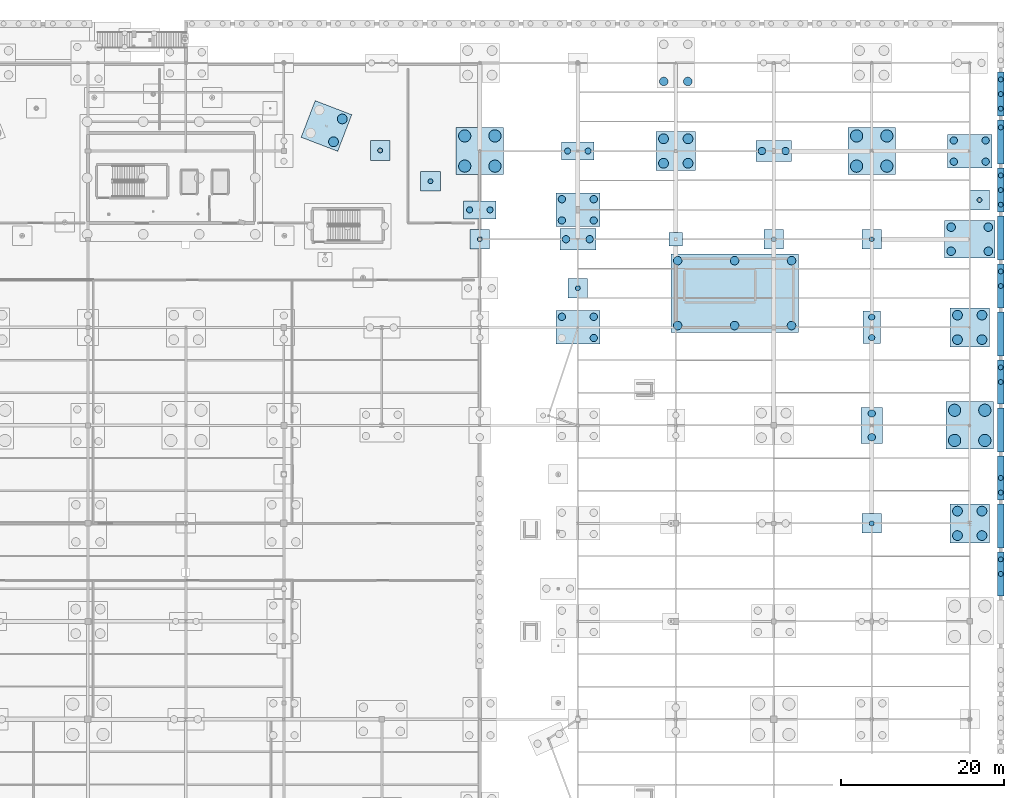
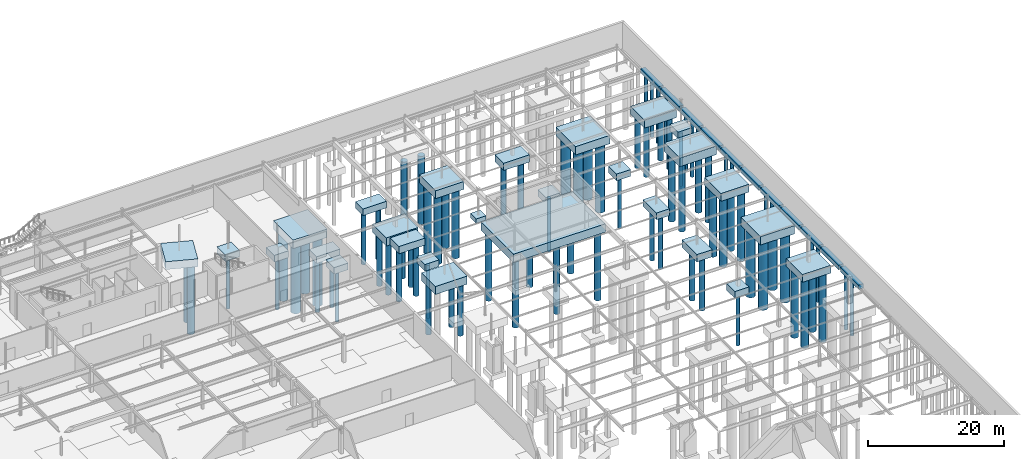
# One storey, part 8 of 136: 84 piles, 38 footings.
"""IFC4 building model written with IfcOpenShell, lengths in metres."""

import ifcopenshell
import ifcopenshell.guid

model = None  # the IFC model being written
_history = None  # IfcOwnerHistory: only IFC2X3 demands one
_inside = {}  # id of a spatial element -> (the spatial element, [elements in it])
_under = {}  # id of a project, library or spatial element -> (it, [spatial elements below it])
_declared = {}  # id of a project -> (the project, [libraries it declares])
_typed = {}  # id of a type object -> (the type object, [elements of that type])
_made_of = {}  # id of a material, layer set ... -> (it, [elements and type objects made of it])


def new_model(schema):
    """Start an empty IFC model of exactly this schema.

    Asked for "IFC4X3", IfcOpenShell would pick the latest addendum, in which some entities
    have other attributes; the version numbers below select the first issue.
    IFC2X3 requires an IfcOwnerHistory on every rooted entity: one is made here for all.
    """
    global model, _history
    if schema == "IFC4X3":
        model = ifcopenshell.file(schema_version=(4, 3, 0, 0))
    else:
        model = ifcopenshell.file(schema=schema)
    _inside.clear()
    _under.clear()
    _declared.clear()
    _typed.clear()
    _made_of.clear()
    _history = None
    if model.schema == "IFC2X3":
        org = make("IfcOrganization", Name="unknown")
        user = make(
            "IfcPersonAndOrganization",
            ThePerson=make("IfcPerson", FamilyName="unknown"),
            TheOrganization=org,
        )
        app = make(
            "IfcApplication",
            ApplicationDeveloper=org,
            Version="unknown",
            ApplicationFullName="unknown",
            ApplicationIdentifier="unknown",
        )
        _history = make(
            "IfcOwnerHistory",
            OwningUser=user,
            OwningApplication=app,
            ChangeAction="ADDED",
            CreationDate=0,
        )
    return model


def make(cls, **values):
    """One entity of the class cls with the attributes given. An attribute that is None is left unset."""
    return model.create_entity(
        cls, **{name: value for name, value in values.items() if value is not None}
    )


def rooted(cls, **values):
    """An entity with a GlobalId (a new one), such as an element, a storey or a relation."""
    return make(cls, GlobalId=ifcopenshell.guid.new(), OwnerHistory=_history, **values)


def si_unit(unit_type, name, prefix=None):
    """IfcSIUnit, for example si_unit("LENGTHUNIT", "METRE", prefix="MILLI")."""
    return make("IfcSIUnit", UnitType=unit_type, Prefix=prefix, Name=name)


def assignment(units):
    """IfcUnitAssignment: the units of a project."""
    return None if units is None else make("IfcUnitAssignment", Units=units)


def point(xyz):
    """IfcCartesianPoint."""
    return None if xyz is None else make("IfcCartesianPoint", Coordinates=xyz)


def direction(xyz):
    """IfcDirection."""
    return None if xyz is None else make("IfcDirection", DirectionRatios=xyz)


def frame(location, z_axis=None, x_axis=None):
    """IfcAxis2Placement3D, a coordinate frame: its origin and axes. An axis left out is left unset."""
    return make(
        "IfcAxis2Placement3D",
        Location=point(location),
        Axis=direction(z_axis),
        RefDirection=direction(x_axis),
    )


def frame_2d(location, x_axis=None):
    """IfcAxis2Placement2D, a coordinate frame in the plane: its origin and x axis."""
    return make(
        "IfcAxis2Placement2D", Location=point(location), RefDirection=direction(x_axis)
    )


def origin():
    """The frame at (0, 0, 0) with its axes left unset."""
    return frame((0.0, 0.0, 0.0))


def origin_2d():
    """The frame at (0, 0) in the plane with its x axis left unset."""
    return frame_2d((0.0, 0.0))


def place(relative_to, where):
    """IfcLocalPlacement: puts the frame where relative to a parent placement (None: the world)."""
    return make(
        "IfcLocalPlacement", PlacementRelTo=relative_to, RelativePlacement=where
    )


def context(
    kind, dimensions, precision=None, world=None, true_north=None, identifier=None
):
    """IfcGeometricRepresentationContext, for example the 3D "Model" context."""
    return make(
        "IfcGeometricRepresentationContext",
        ContextIdentifier=identifier,
        ContextType=kind,
        CoordinateSpaceDimension=dimensions,
        Precision=precision,
        WorldCoordinateSystem=world,
        TrueNorth=true_north,
    )


def subcontext(parent, identifier, kind, view, scale=None):
    """IfcGeometricRepresentationSubContext, for example "Body" below "Model"."""
    return make(
        "IfcGeometricRepresentationSubContext",
        ContextIdentifier=identifier,
        ContextType=kind,
        ParentContext=parent,
        TargetScale=scale,
        TargetView=view,
    )


def project(units=None, contexts=None):
    """IfcProject with its units and contexts."""
    return rooted(
        "IfcProject",
        Name="project",
        RepresentationContexts=contexts,
        UnitsInContext=assignment(units),
    )


def spatial(cls, under=None, at=None, **own):
    """A site, building, storey or space (cls), placed at a placement, below another one or the project."""
    s = rooted(cls, ObjectPlacement=at, **own)
    if under is not None:
        _under.setdefault(under.id(), (under, []))[1].append(s)
    return s


def profile(cls, at=None, kind="AREA", **sizes):
    """A parametric profile (cls). Its sizes go by their IFC names, for example OverallWidth=200.0."""
    return make(cls, ProfileType=kind, Position=at, **sizes)


def rectangle(**sizes):
    """IfcRectangleProfileDef."""
    return profile("IfcRectangleProfileDef", **sizes)


def circle(**sizes):
    """IfcCircleProfileDef."""
    return profile("IfcCircleProfileDef", **sizes)


def extrude(swept, where, along, depth):
    """IfcExtrudedAreaSolid: the profile swept, set in the frame where, extruded along a direction by depth."""
    return make(
        "IfcExtrudedAreaSolid",
        SweptArea=swept,
        Position=where,
        ExtrudedDirection=direction(along),
        Depth=depth,
    )


def shape(context_of_items, identifier, shape_type, items):
    """IfcShapeRepresentation: the items that make up one representation, for example the "Body"."""
    return make(
        "IfcShapeRepresentation",
        ContextOfItems=context_of_items,
        RepresentationIdentifier=identifier,
        RepresentationType=shape_type,
        Items=items,
    )


def material(Name=None, Category=None):
    """IfcMaterial."""
    return make("IfcMaterial", Name=Name, Category=Category)


def material_profile(
    of_material, cross_section, Name=None, Category=None, Priority=None
):
    """IfcMaterialProfile: a cross section and its material."""
    return make(
        "IfcMaterialProfile",
        Name=Name,
        Material=of_material,
        Profile=cross_section,
        Priority=Priority,
        Category=Category,
    )


def profile_set(profiles, Name=None, composite=None):
    """IfcMaterialProfileSet."""
    return make(
        "IfcMaterialProfileSet",
        Name=Name,
        MaterialProfiles=profiles,
        CompositeProfile=composite,
    )


def made_of(thing, what):
    """Note that an element or type object is made of a material, layer set ...; save() writes the relation."""
    if what is not None:
        _made_of.setdefault(what.id(), (what, []))[1].append(thing)
    return thing


def type_object(cls, material=None, **own):
    """A type object (cls), such as IfcWallType, which elements share."""
    return made_of(rooted(cls, **own), material)


def element(
    cls,
    number,
    at=None,
    inside=None,
    cuts=None,
    type_object=None,
    material=None,
    context=None,
    identifier="Body",
    shape_type=None,
    held_by="IfcProductDefinitionShape",
    body=None,
    shapes=None,
    **own,
):
    """One element of the class cls, such as IfcWall. Its Tag is "e" and its number.

    at: its placement. inside: the storey or other place that contains it. cuts: it is an
    opening in that element (IfcRelVoidsElement). A single representation is given by context,
    identifier, shape_type and body (its items); several are given by shapes. held_by: the class
    of the entity that holds the representations. save() writes the other relations.
    """
    e = rooted(cls, Tag="e%d" % number, ObjectPlacement=at, **own)
    if body is not None:
        shapes = [shape(context, identifier, shape_type, body)]
    if shapes is not None:
        e.Representation = make(held_by, Representations=shapes)
    if inside is not None:
        _inside.setdefault(inside.id(), (inside, []))[1].append(e)
    if cuts is not None:
        rooted(
            "IfcRelVoidsElement", RelatingBuildingElement=cuts, RelatedOpeningElement=e
        )
    if type_object is not None:
        _typed.setdefault(type_object.id(), (type_object, []))[1].append(e)
    return made_of(e, material)


def aggregate(whole, parts):
    """IfcRelAggregates: a whole, such as a stair, and the parts it consists of."""
    return rooted("IfcRelAggregates", RelatingObject=whole, RelatedObjects=parts)


def save(model, path):
    """Write the relations noted so far, then the file.

    IfcRelAggregates (storeys below a building ...), IfcRelContainedInSpatialStructure (elements
    in a storey), IfcRelDefinesByType, IfcRelAssociatesMaterial and IfcRelDeclares: one each for
    every whole, place, type object, material and project.
    """
    for whole, parts in _under.values():
        aggregate(whole, parts)
    for where, things in _inside.values():
        rooted(
            "IfcRelContainedInSpatialStructure",
            RelatedElements=things,
            RelatingStructure=where,
        )
    for kind, things in _typed.values():
        rooted("IfcRelDefinesByType", RelatedObjects=things, RelatingType=kind)
    for what, things in _made_of.values():
        rooted("IfcRelAssociatesMaterial", RelatedObjects=things, RelatingMaterial=what)
    for by, libraries in _declared.values():
        rooted("IfcRelDeclares", RelatingContext=by, RelatedDefinitions=libraries)
    model.write(path)


model = new_model("IFC4")

# Units and contexts
model_context = context("Model", 3, precision=1e-05, world=origin(), true_north=direction((0.0, 1.0)))
body_context = subcontext(model_context, "Body", "Model", "MODEL_VIEW")
ifc_project = project(units=[si_unit("LENGTHUNIT", "METRE"), si_unit("AREAUNIT", "SQUARE_METRE"), si_unit("VOLUMEUNIT", "CUBIC_METRE"), si_unit("PLANEANGLEUNIT", "RADIAN"), si_unit("MASSUNIT", "GRAM", prefix="KILO")], contexts=[model_context])

# Site, building, storey
site_placement = place(None, origin())
site = spatial("IfcSite", under=ifc_project, at=site_placement, CompositionType="ELEMENT")
building_placement = place(site_placement, origin())
building = spatial("IfcBuilding", under=site, at=building_placement, Name="Tarnwether General Hospital", CompositionType="ELEMENT")
storey_placement = place(building_placement, frame((0.0, 0.0, -4.800048828125)))
storey = spatial("IfcBuildingStorey", under=building, at=storey_placement, Name="LG", CompositionType="ELEMENT", Elevation=-4.800048828125)

# Footings
ifc_material_1 = material(Name="Concrete 40 MPa", Category="concrete")
footing_type_1 = type_object("IfcFootingType", Name="FT-PC1", PredefinedType="PILE_CAP", material=ifc_material_1)
for number, where, z_axis, x_axis, name in (
    (1, (132.0, 104.39990234375, -1.19970703125), (0.0, 0.0, 1.0), (0.0, 1.0, 0.0), "Pile Cap FT-CAP-0126"),
    (2, (168.0, 104.39990234375, -1.19970703125), (0.0, 0.0, 1.0), (1.0, 0.0, 0.0), "Pile Cap FT-CAP-0156"),
    (3, (180.0, 104.39990234375, -1.19970703125), (0.0, 0.0, 1.0), (0.0, 1.0, 0.0), "Pile Cap FT-CAP-0166"),
    (4, (119.79296875, 115.27001953125, -1.19970703125), (0.0, 0.0, 1.0), (1.0, 0.0, 0.0), "Pile Cap FT-CAP-0204"),
    (5, (125.9560546875, 111.493896484375, -1.19970703125), (0.0, 0.0, 1.0), (1.0, 0.0, 0.0), "Pile Cap FT-CAP-0206"),
    (6, (144.0, 98.39990234375, -1.19970703125), (0.0, 0.0, 1.0), (1.0, 0.0, 0.0), "Pile Cap FT-CAP-0235"),
    (7, (180.0, 69.60009765625, -1.19970703125), (0.0, 0.0, 1.0), (1.0, 0.0, 0.0), "Pile Cap FT-CAP-0245"),
    (8, (193.199951171875, 109.199951171875, -1.19970703125), (0.0, 0.0, 1.0), (1.0, 0.0, 0.0), "Pile Cap FT-CAP-0249"),
):
    element("IfcFooting", number, at=place(storey_placement, frame(where, z_axis=z_axis, x_axis=x_axis)), inside=storey, type_object=footing_type_1, Name=name, PredefinedType="PILE_CAP", context=body_context, shape_type="SweptSolid", body=[
        extrude(rectangle(XDim=2.39990234375, YDim=2.39990234375, at=origin_2d()), origin(), (0.0, 0.0, 1.0), 1.199951171875),
    ])
ifc_material_2 = material(Name="Concrete 40 MPa", Category="concrete")
footing_type_2 = type_object("IfcFootingType", Name="FT-PC10", PredefinedType="PILE_CAP", material=ifc_material_2)
footing_1_placement = place(storey_placement, frame((163.199951171875, 97.800048828125, -1.5), z_axis=(0.0, 0.0, 1.0), x_axis=(1.0, 0.0, 0.0)))
element("IfcFooting", 9, at=footing_1_placement, inside=storey, type_object=footing_type_2, Name="Pile Cap FT-CAP-0006", PredefinedType="PILE_CAP", context=body_context, shape_type="SweptSolid", body=[
    extrude(rectangle(XDim=15.60009765625, YDim=9.60009765625, at=origin_2d()), origin(), (0.0, 0.0, 1.0), 1.5),
])
ifc_material_3 = material(Name="Concrete 40 MPa", Category="concrete")
footing_type_3 = type_object("IfcFootingType", Name="FT-PC2", PredefinedType="PILE_CAP", material=ifc_material_3)
for number, where, z_axis, x_axis, name in (
    (10, (144.0, 115.199951171875, -1.19970703125), (0.0, 0.0, 1.0), (1.0, 0.0, 0.0), "Pile Cap FT-CAP-0139"),
    (11, (180.0, 93.60009765625, -1.19970703125), (0.0, 0.0, 1.0), (0.0, 1.0, 0.0), "Pile Cap FT-CAP-0165"),
    (12, (132.0, 108.0, -1.19970703125), (0.0, 0.0, 1.0), (1.0, 0.0, 0.0), "Pile Cap FT-CAP-0231"),
):
    element("IfcFooting", number, at=place(storey_placement, frame(where, z_axis=z_axis, x_axis=x_axis)), inside=storey, type_object=footing_type_3, Name=name, PredefinedType="PILE_CAP", context=body_context, shape_type="SweptSolid", body=[
        extrude(rectangle(XDim=4.0, YDim=2.199951171875, at=origin_2d()), origin(), (0.0, 0.0, 1.0), 1.199951171875),
    ])
ifc_material_4 = material(Name="Concrete 40 MPa", Category="concrete")
footing_type_4 = type_object("IfcFootingType", Name="FT-PC3", PredefinedType="PILE_CAP", material=ifc_material_4)
for number, where, z_axis, x_axis, name in (
    (13, (144.0, 104.39990234375, -1.2998046875), (0.0, 0.0, 1.0), (1.0, 0.0, 0.0), "Pile Cap FT-CAP-0138"),
    (14, (168.0, 115.199951171875, -1.2998046875), (0.0, 0.0, 1.0), (1.0, 0.0, 0.0), "Pile Cap FT-CAP-0157"),
    (15, (180.0, 81.60009765625, -1.2998046875), (0.0, 0.0, 1.0), (0.0, 1.0, 0.0), "Pile Cap FT-CAP-0164"),
):
    element("IfcFooting", number, at=place(storey_placement, frame(where, z_axis=z_axis, x_axis=x_axis)), inside=storey, type_object=footing_type_4, Name=name, PredefinedType="PILE_CAP", context=body_context, shape_type="SweptSolid", body=[
        extrude(rectangle(XDim=4.39990234375, YDim=2.60009765625, at=origin_2d()), origin(), (0.0, 0.0, 1.0), 1.300048828125),
    ])
ifc_material_5 = material(Name="Concrete 40 MPa", Category="concrete")
footing_type_5 = type_object("IfcFootingType", Name="FT-PC4", PredefinedType="PILE_CAP", material=ifc_material_5)
for number, where, z_axis, x_axis, name in (
    (16, (156.0, 115.199951171875, -1.39990234375), (0.0, 0.0, 1.0), (0.0, 1.0, 0.0), "Pile Cap FT-CAP-0149"),
    (17, (192.0, 93.60009765625, -1.39990234375), (0.0, 0.0, 1.0), (1.0, 0.0, 0.0), "Pile Cap FT-CAP-0175"),
    (18, (113.215087890625, 118.26806640625, -1.39990234375), (0.0, 0.0, 1.0), (0.358367949545, 0.933580426497, 0.0), "Pile Cap FT-CAP-0201"),
    (19, (192.0, 69.60009765625, -1.39990234375), (0.0, 0.0, 1.0), (1.0, 0.0, 0.0), "Pile Cap FT-CAP-0247"),
):
    element("IfcFooting", number, at=place(storey_placement, frame(where, z_axis=z_axis, x_axis=x_axis)), inside=storey, type_object=footing_type_5, Name=name, PredefinedType="PILE_CAP", context=body_context, shape_type="SweptSolid", body=[
        extrude(rectangle(XDim=4.800048828125, YDim=4.800048828125, at=origin_2d()), origin(), (0.0, 0.0, 1.0), 1.39990234375),
    ])
ifc_material_6 = material(Name="Concrete 40 MPa", Category="concrete")
footing_type_6 = type_object("IfcFootingType", Name="FT-PC5", PredefinedType="PILE_CAP", material=ifc_material_6)
for number, where, z_axis, x_axis, name in (
    (20, (132.0, 115.199951171875, -1.5), (0.0, 0.0, 1.0), (0.0, 1.0, 0.0), "Pile Cap FT-CAP-0127"),
    (21, (180.0, 115.199951171875, -1.5), (0.0, 0.0, 1.0), (0.0, 1.0, 0.0), "Pile Cap FT-CAP-0167"),
    (22, (192.0, 81.60009765625, -1.5), (0.0, 0.0, 1.0), (1.0, 0.0, 0.0), "Pile Cap FT-CAP-0174"),
):
    element("IfcFooting", number, at=place(storey_placement, frame(where, z_axis=z_axis, x_axis=x_axis)), inside=storey, type_object=footing_type_6, Name=name, PredefinedType="PILE_CAP", context=body_context, shape_type="SweptSolid", body=[
        extrude(rectangle(XDim=5.800048828125, YDim=5.800048828125, at=origin_2d()), origin(), (0.0, 0.0, 1.0), 1.5),
    ])
ifc_material_7 = material(Name="Concrete 40 MPa", Category="concrete")
footing_type_7 = type_object("IfcFootingType", Name="FT-PC6", PredefinedType="PILE_CAP", material=ifc_material_7)
for number, where, z_axis, x_axis, name in (
    (23, (144.0, 93.60009765625, -1.44970703125), (0.0, 0.0, 1.0), (1.0, 0.0, 0.0), "Pile Cap FT-CAP-0137"),
    (24, (192.0, 115.199951171875, -1.44970703125), (0.0, 0.0, 1.0), (1.0, 0.0, 0.0), "Pile Cap FT-CAP-0177"),
    (25, (144.0, 108.0, -1.44970703125), (0.0, 0.0, 1.0), (1.0, 0.0, 0.0), "Pile Cap FT-CAP-0236"),
):
    element("IfcFooting", number, at=place(storey_placement, frame(where, z_axis=z_axis, x_axis=x_axis)), inside=storey, type_object=footing_type_7, Name=name, PredefinedType="PILE_CAP", context=body_context, shape_type="SweptSolid", body=[
        extrude(rectangle(XDim=5.39990234375, YDim=4.10009765625, at=origin_2d()), origin(), (0.0, 0.0, 1.0), 1.449951171875),
    ])
ifc_material_8 = material(Name="Concrete 40 MPa", Category="concrete")
footing_type_8 = type_object("IfcFootingType", Name="FT-PC7", PredefinedType="PILE_CAP", material=ifc_material_8)
footing_2_placement = place(storey_placement, frame((192.0, 104.39990234375, -1.5498046875), z_axis=(0.0, 0.0, 1.0), x_axis=(1.0, 0.0, 0.0)))
element("IfcFooting", 26, at=footing_2_placement, inside=storey, type_object=footing_type_8, Name="Pile Cap FT-CAP-0176", PredefinedType="PILE_CAP", context=body_context, shape_type="SweptSolid", body=[
    extrude(rectangle(XDim=6.199951171875, YDim=4.60009765625, at=origin_2d()), origin(), (0.0, 0.0, 1.0), 1.550048828125),
])
ifc_material_9 = material(Name="Concrete 40 MPa", Category="concrete")
footing_type_9 = type_object("IfcFootingType", Name="FT-PF5", PredefinedType="PAD_FOOTING", material=ifc_material_9)
footing_3_placement = place(storey_placement, frame((156.0, 104.39990234375, -0.7998046875), z_axis=(0.0, 0.0, 1.0), x_axis=(1.0, 0.0, 0.0)))
element("IfcFooting", 27, at=footing_3_placement, inside=storey, type_object=footing_type_9, Name="Column Bearing Pad FT-PAD-0148", PredefinedType="PAD_FOOTING", context=body_context, shape_type="SweptSolid", body=[
    extrude(rectangle(XDim=1.699951171875, YDim=1.699951171875, at=origin_2d()), origin(), (0.0, 0.0, 1.0), 0.800048828125),
])
ifc_material_10 = material(Name="Concrete 40 MPa", Category="concrete")
footing_type_10 = type_object("IfcFootingType", Name="FT-SF1", PredefinedType="STRIP_FOOTING", material=ifc_material_10)
for number, where, z_axis, x_axis, name in (
    (28, (195.800048828125, 63.39990234375, -0.7998046875), (0.0, 0.0, 1.0), (0.0, 1.0, 0.0), "Retaining Strip Footing FT-SF-0070"),
    (29, (195.800048828125, 69.278076171875, -0.7998046875), (0.0, 0.0, 1.0), (0.0, 1.0, 0.0), "Retaining Strip Footing FT-SF-0071"),
    (30, (195.800048828125, 75.156982421875, -0.7998046875), (0.0, 0.0, 1.0), (0.0, 1.0, 0.0), "Retaining Strip Footing FT-SF-0072"),
    (31, (195.800048828125, 81.034912109375, -0.7998046875), (0.0, 0.0, 1.0), (0.0, 1.0, 0.0), "Retaining Strip Footing FT-SF-0073"),
    (32, (195.800048828125, 86.9130859375, -0.7998046875), (0.0, 0.0, 1.0), (0.0, 1.0, 0.0), "Retaining Strip Footing FT-SF-0074"),
    (33, (195.800048828125, 92.791015625, -0.7998046875), (0.0, 0.0, 1.0), (0.0, 1.0, 0.0), "Retaining Strip Footing FT-SF-0075"),
    (34, (195.800048828125, 98.669921875, -0.7998046875), (0.0, 0.0, 1.0), (0.0, 1.0, 0.0), "Retaining Strip Footing FT-SF-0076"),
    (35, (195.800048828125, 104.548095703125, -0.7998046875), (0.0, 0.0, 1.0), (0.0, 1.0, 0.0), "Retaining Strip Footing FT-SF-0077"),
    (36, (195.800048828125, 110.426025390625, -0.7998046875), (0.0, 0.0, 1.0), (0.0, 1.0, 0.0), "Retaining Strip Footing FT-SF-0078"),
    (37, (195.800048828125, 116.303955078125, -0.7998046875), (0.0, 0.0, 1.0), (0.0, 1.0, 0.0), "Retaining Strip Footing FT-SF-0079"),
    (38, (195.800048828125, 122.18310546875, -0.7998046875), (0.0, 0.0, 1.0), (0.0, 1.0, 0.0), "Retaining Strip Footing FT-SF-0080"),
):
    element("IfcFooting", number, at=place(storey_placement, frame(where, z_axis=z_axis, x_axis=x_axis)), inside=storey, type_object=footing_type_10, Name=name, PredefinedType="STRIP_FOOTING", context=body_context, shape_type="SweptSolid", body=[
        extrude(rectangle(XDim=5.3779296875, YDim=0.800048828125, at=origin_2d()), origin(), (0.0, 0.0, 1.0), 0.800048828125),
    ])

# Piles
ifc_material_11 = material(Name="Concrete 40 MPa", Category="concrete")
ifc_material_profile_1 = material_profile(ifc_material_11, circle(Radius=0.52490234375, at=origin_2d()), Name="PILE-D1050")
ifc_profile_set_1 = profile_set([ifc_material_profile_1], Name="Concrete 40 MPa")
pile_type_1 = type_object("IfcPileType", Name="PL-1050", PredefinedType="BORED", material=ifc_profile_set_1)
for number, where, z_axis, x_axis, name in (
    (39, (156.22509765625, 93.824951171875, -1.39990234375), (0.0, 0.0, -1.0), (1.0, 0.0, 0.0), "Bored Pile PLG-LG-1562_938-0043"),
    (40, (156.22509765625, 101.77490234375, -1.39990234375), (0.0, 0.0, -1.0), (1.0, 0.0, 0.0), "Bored Pile PLG-LG-1562_1018-0044"),
    (41, (163.199951171875, 93.824951171875, -1.39990234375), (0.0, 0.0, -1.0), (1.0, 0.0, 0.0), "Bored Pile PLG-LG-1632_938-0045"),
    (42, (163.199951171875, 101.77490234375, -1.39990234375), (0.0, 0.0, -1.0), (1.0, 0.0, 0.0), "Bored Pile PLG-LG-1632_1018-0046"),
    (43, (170.175048828125, 93.824951171875, -1.39990234375), (0.0, 0.0, -1.0), (1.0, 0.0, 0.0), "Bored Pile PLG-LG-1702_938-0047"),
    (44, (170.175048828125, 101.77490234375, -1.39990234375), (0.0, 0.0, -1.0), (1.0, 0.0, 0.0), "Bored Pile PLG-LG-1702_1018-0048"),
):
    element("IfcPile", number, at=place(storey_placement, frame(where, z_axis=z_axis, x_axis=x_axis)), inside=storey, type_object=pile_type_1, Name=name, PredefinedType="BORED", context=body_context, shape_type="SweptSolid", body=[
        extrude(circle(Radius=0.52490234375, at=origin_2d()), origin(), (0.0, 0.0, 1.0), 12.300048828125),
    ])
for number, where, z_axis, x_axis, name in (
    (45, (157.47509765625, 123.72509765625, -1.449951171875), (0.0, 0.0, -1.0), (1.0, 0.0, 0.0), "Bored Pile PLG-LG-1575_1237-0464"),
    (46, (154.52490234375, 123.72509765625, -1.449951171875), (0.0, 0.0, -1.0), (1.0, 0.0, 0.0), "Bored Pile PLG-LG-1545_1237-0465"),
    (47, (189.72509765625, 102.925048828125, -1.449951171875), (0.0, 0.0, -1.0), (1.0, 0.0, 0.0), "Bored Pile PLG-LG-1897_1029-0539"),
    (48, (189.72509765625, 105.875, -1.449951171875), (0.0, 0.0, -1.0), (1.0, 0.0, 0.0), "Bored Pile PLG-LG-1897_1059-0540"),
    (49, (194.27490234375, 102.925048828125, -1.449951171875), (0.0, 0.0, -1.0), (1.0, 0.0, 0.0), "Bored Pile PLG-LG-1943_1029-0541"),
    (50, (194.27490234375, 105.875, -1.449951171875), (0.0, 0.0, -1.0), (1.0, 0.0, 0.0), "Bored Pile PLG-LG-1943_1059-0542"),
):
    element("IfcPile", number, at=place(storey_placement, frame(where, z_axis=z_axis, x_axis=x_axis)), inside=storey, type_object=pile_type_1, Name=name, PredefinedType="BORED", context=body_context, shape_type="SweptSolid", body=[
        extrude(circle(Radius=0.52490234375, at=origin_2d()), origin(), (0.0, 0.0, 1.0), 12.25),
    ])
ifc_material_12 = material(Name="Concrete 40 MPa", Category="concrete")
ifc_material_profile_2 = material_profile(ifc_material_12, circle(Radius=0.60009765625, at=origin_2d()), Name="PILE-D1200")
ifc_profile_set_2 = profile_set([ifc_material_profile_2], Name="Concrete 40 MPa")
pile_type_2 = type_object("IfcPileType", Name="PL-1200", PredefinedType="BORED", material=ifc_profile_set_2)
for number, where, z_axis, x_axis, name in (
    (51, (157.5, 113.699951171875, -1.300048828125), (0.0, 0.0, -1.0), (1.0, 0.0, 0.0), "Bored Pile PLG-LG-1575_1137-0460"),
    (52, (154.5, 113.699951171875, -1.300048828125), (0.0, 0.0, -1.0), (1.0, 0.0, 0.0), "Bored Pile PLG-LG-1545_1137-0461"),
    (53, (157.5, 116.699951171875, -1.300048828125), (0.0, 0.0, -1.0), (1.0, 0.0, 0.0), "Bored Pile PLG-LG-1575_1167-0462"),
    (54, (154.5, 116.699951171875, -1.300048828125), (0.0, 0.0, -1.0), (1.0, 0.0, 0.0), "Bored Pile PLG-LG-1545_1167-0463"),
    (55, (190.5, 92.10009765625, -1.300048828125), (0.0, 0.0, -1.0), (1.0, 0.0, 0.0), "Bored Pile PLG-LG-1905_921-0535"),
    (56, (190.5, 95.10009765625, -1.300048828125), (0.0, 0.0, -1.0), (1.0, 0.0, 0.0), "Bored Pile PLG-LG-1905_951-0536"),
    (57, (193.5, 92.10009765625, -1.300048828125), (0.0, 0.0, -1.0), (1.0, 0.0, 0.0), "Bored Pile PLG-LG-1935_921-0537"),
    (58, (193.5, 95.10009765625, -1.300048828125), (0.0, 0.0, -1.0), (1.0, 0.0, 0.0), "Bored Pile PLG-LG-1935_951-0538"),
    (59, (114.077880859375, 116.330078125, -1.300048828125), (0.0, 0.0, -1.0), (1.0, 0.0, 0.0), "Bored Pile PLG-LG-1141_1163-0571"),
    (60, (115.153076171875, 119.131103515625, -1.300048828125), (0.0, 0.0, -1.0), (1.0, 0.0, 0.0), "Bored Pile PLG-LG-1152_1191-0573"),
    (61, (190.5, 68.10009765625, -1.300048828125), (0.0, 0.0, -1.0), (1.0, 0.0, 0.0), "Bored Pile PLG-LG-1905_681-0646"),
    (62, (190.5, 71.10009765625, -1.300048828125), (0.0, 0.0, -1.0), (1.0, 0.0, 0.0), "Bored Pile PLG-LG-1905_711-0647"),
    (63, (193.5, 68.10009765625, -1.300048828125), (0.0, 0.0, -1.0), (1.0, 0.0, 0.0), "Bored Pile PLG-LG-1935_681-0648"),
    (64, (193.5, 71.10009765625, -1.300048828125), (0.0, 0.0, -1.0), (1.0, 0.0, 0.0), "Bored Pile PLG-LG-1935_711-0649"),
):
    element("IfcPile", number, at=place(storey_placement, frame(where, z_axis=z_axis, x_axis=x_axis)), inside=storey, type_object=pile_type_2, Name=name, PredefinedType="BORED", context=body_context, shape_type="SweptSolid", body=[
        extrude(circle(Radius=0.60009765625, at=origin_2d()), origin(), (0.0, 0.0, 1.0), 12.39990234375),
    ])
ifc_material_13 = material(Name="Concrete 40 MPa", Category="concrete")
ifc_material_profile_3 = material_profile(ifc_material_13, circle(Radius=0.75, at=origin_2d()), Name="PILE-D1500")
ifc_profile_set_3 = profile_set([ifc_material_profile_3], Name="Concrete 40 MPa")
pile_type_3 = type_object("IfcPileType", Name="PL-1500", PredefinedType="BORED", material=ifc_profile_set_3)
for number, where, z_axis, x_axis, name in (
    (65, (133.85009765625, 113.35009765625, -1.39990234375), (0.0, 0.0, -1.0), (1.0, 0.0, 0.0), "Bored Pile PLG-LG-1338_1134-0405"),
    (66, (130.14990234375, 113.35009765625, -1.39990234375), (0.0, 0.0, -1.0), (1.0, 0.0, 0.0), "Bored Pile PLG-LG-1302_1134-0406"),
    (67, (133.85009765625, 117.050048828125, -1.39990234375), (0.0, 0.0, -1.0), (1.0, 0.0, 0.0), "Bored Pile PLG-LG-1338_1170-0407"),
    (68, (130.14990234375, 117.050048828125, -1.39990234375), (0.0, 0.0, -1.0), (1.0, 0.0, 0.0), "Bored Pile PLG-LG-1302_1170-0408"),
    (69, (181.85009765625, 113.35009765625, -1.39990234375), (0.0, 0.0, -1.0), (1.0, 0.0, 0.0), "Bored Pile PLG-LG-1818_1134-0510"),
    (70, (178.14990234375, 113.35009765625, -1.39990234375), (0.0, 0.0, -1.0), (1.0, 0.0, 0.0), "Bored Pile PLG-LG-1782_1134-0511"),
    (71, (181.85009765625, 117.050048828125, -1.39990234375), (0.0, 0.0, -1.0), (1.0, 0.0, 0.0), "Bored Pile PLG-LG-1818_1170-0512"),
    (72, (178.14990234375, 117.050048828125, -1.39990234375), (0.0, 0.0, -1.0), (1.0, 0.0, 0.0), "Bored Pile PLG-LG-1782_1170-0513"),
    (73, (190.14990234375, 79.75, -1.39990234375), (0.0, 0.0, -1.0), (1.0, 0.0, 0.0), "Bored Pile PLG-LG-1902_798-0531"),
    (74, (190.14990234375, 83.449951171875, -1.39990234375), (0.0, 0.0, -1.0), (1.0, 0.0, 0.0), "Bored Pile PLG-LG-1902_834-0532"),
    (75, (193.85009765625, 79.75, -1.39990234375), (0.0, 0.0, -1.0), (1.0, 0.0, 0.0), "Bored Pile PLG-LG-1938_798-0533"),
    (76, (193.85009765625, 83.449951171875, -1.39990234375), (0.0, 0.0, -1.0), (1.0, 0.0, 0.0), "Bored Pile PLG-LG-1938_834-0534"),
):
    element("IfcPile", number, at=place(storey_placement, frame(where, z_axis=z_axis, x_axis=x_axis)), inside=storey, type_object=pile_type_3, Name=name, PredefinedType="BORED", context=body_context, shape_type="SweptSolid", body=[
        extrude(circle(Radius=0.75, at=origin_2d()), origin(), (0.0, 0.0, 1.0), 12.300048828125),
    ])
ifc_material_14 = material(Name="Concrete 40 MPa", Category="concrete")
ifc_material_profile_4 = material_profile(ifc_material_14, circle(Radius=0.300048828125, at=origin_2d()), Name="PILE-D600")
ifc_profile_set_4 = profile_set([ifc_material_profile_4], Name="Concrete 40 MPa")
pile_type_4 = type_object("IfcPileType", Name="PL-600", PredefinedType="BORED", material=ifc_profile_set_4)
for number, where, z_axis, x_axis, name in (
    (77, (132.0, 104.39990234375, -1.099853515625), (0.0, 0.0, -1.0), (1.0, 0.0, 0.0), "Bored Pile PLG-LG-1320_1044-0404"),
    (78, (168.0, 104.39990234375, -1.099853515625), (0.0, 0.0, -1.0), (1.0, 0.0, 0.0), "Bored Pile PLG-LG-1680_1044-0483"),
    (79, (180.0, 104.39990234375, -1.099853515625), (0.0, 0.0, -1.0), (1.0, 0.0, 0.0), "Bored Pile PLG-LG-1800_1044-0509"),
    (80, (119.79296875, 115.27001953125, -1.099853515625), (0.0, 0.0, -1.0), (1.0, 0.0, 0.0), "Bored Pile PLG-LG-1198_1153-0576"),
    (81, (125.9560546875, 111.493896484375, -1.099853515625), (0.0, 0.0, -1.0), (1.0, 0.0, 0.0), "Bored Pile PLG-LG-1260_1115-0578"),
    (82, (144.0, 98.39990234375, -1.099853515625), (0.0, 0.0, -1.0), (1.0, 0.0, 0.0), "Bored Pile PLG-LG-1440_984-0621"),
    (83, (180.0, 69.60009765625, -1.099853515625), (0.0, 0.0, -1.0), (1.0, 0.0, 0.0), "Bored Pile PLG-LG-1800_696-0641"),
    (84, (193.199951171875, 109.199951171875, -1.099853515625), (0.0, 0.0, -1.0), (1.0, 0.0, 0.0), "Bored Pile PLG-LG-1932_1092-0651"),
):
    element("IfcPile", number, at=place(storey_placement, frame(where, z_axis=z_axis, x_axis=x_axis)), inside=storey, type_object=pile_type_4, Name=name, PredefinedType="BORED", context=body_context, shape_type="SweptSolid", body=[
        extrude(circle(Radius=0.300048828125, at=origin_2d()), origin(), (0.0, 0.0, 1.0), 9.60009765625),
    ])
for number, where, z_axis, x_axis, name in (
    (85, (195.800048828125, 63.39990234375, -0.699951171875), (0.0, 0.0, -1.0), (1.0, 0.0, 0.0), "Bored Pile PLG-LG-1958_634-0711"),
    (86, (195.800048828125, 65.193115234375, -0.699951171875), (0.0, 0.0, -1.0), (1.0, 0.0, 0.0), "Bored Pile PLG-LG-1958_652-0712"),
    (87, (195.800048828125, 73.364013671875, -0.699951171875), (0.0, 0.0, -1.0), (1.0, 0.0, 0.0), "Bored Pile PLG-LG-1958_734-0713"),
    (88, (195.800048828125, 75.156982421875, -0.699951171875), (0.0, 0.0, -1.0), (1.0, 0.0, 0.0), "Bored Pile PLG-LG-1958_752-0714"),
    (89, (195.800048828125, 86.9130859375, -0.699951171875), (0.0, 0.0, -1.0), (1.0, 0.0, 0.0), "Bored Pile PLG-LG-1958_869-0715"),
    (90, (195.800048828125, 88.7060546875, -0.699951171875), (0.0, 0.0, -1.0), (1.0, 0.0, 0.0), "Bored Pile PLG-LG-1958_887-0716"),
    (91, (195.800048828125, 98.669921875, -0.699951171875), (0.0, 0.0, -1.0), (1.0, 0.0, 0.0), "Bored Pile PLG-LG-1958_987-0717"),
    (92, (195.800048828125, 100.4619140625, -0.699951171875), (0.0, 0.0, -1.0), (1.0, 0.0, 0.0), "Bored Pile PLG-LG-1958_1005-0718"),
    (93, (195.800048828125, 108.633056640625, -0.699951171875), (0.0, 0.0, -1.0), (1.0, 0.0, 0.0), "Bored Pile PLG-LG-1958_1086-0719"),
    (94, (195.800048828125, 110.426025390625, -0.699951171875), (0.0, 0.0, -1.0), (1.0, 0.0, 0.0), "Bored Pile PLG-LG-1958_1104-0720"),
    (95, (195.800048828125, 112.218994140625, -0.699951171875), (0.0, 0.0, -1.0), (1.0, 0.0, 0.0), "Bored Pile PLG-LG-1958_1122-0721"),
    (96, (195.800048828125, 118.096923828125, -0.699951171875), (0.0, 0.0, -1.0), (1.0, 0.0, 0.0), "Bored Pile PLG-LG-1958_1181-0722"),
    (97, (195.800048828125, 120.389892578125, -0.699951171875), (0.0, 0.0, -1.0), (1.0, 0.0, 0.0), "Bored Pile PLG-LG-1958_1204-0723"),
    (98, (195.800048828125, 122.18310546875, -0.699951171875), (0.0, 0.0, -1.0), (1.0, 0.0, 0.0), "Bored Pile PLG-LG-1958_1222-0724"),
    (99, (195.800048828125, 123.97509765625, -0.699951171875), (0.0, 0.0, -1.0), (1.0, 0.0, 0.0), "Bored Pile PLG-LG-1958_1240-0725"),
):
    element("IfcPile", number, at=place(storey_placement, frame(where, z_axis=z_axis, x_axis=x_axis)), inside=storey, type_object=pile_type_4, Name=name, PredefinedType="BORED", context=body_context, shape_type="SweptSolid", body=[
        extrude(circle(Radius=0.300048828125, at=origin_2d()), origin(), (0.0, 0.0, 1.0), 10.0),
    ])
ifc_material_15 = material(Name="Concrete 40 MPa", Category="concrete")
ifc_material_profile_5 = material_profile(ifc_material_15, circle(Radius=0.375, at=origin_2d()), Name="PILE-D750")
ifc_profile_set_5 = profile_set([ifc_material_profile_5], Name="Concrete 40 MPa")
pile_type_5 = type_object("IfcPileType", Name="PL-750", PredefinedType="BORED", material=ifc_profile_set_5)
for number, where, z_axis, x_axis, name in (
    (100, (142.75, 115.199951171875, -1.099853515625), (0.0, 0.0, -1.0), (1.0, 0.0, 0.0), "Bored Pile PLG-LG-1428_1152-0444"),
    (101, (145.25, 115.199951171875, -1.099853515625), (0.0, 0.0, -1.0), (1.0, 0.0, 0.0), "Bored Pile PLG-LG-1452_1152-0445"),
    (102, (180.0, 92.35009765625, -1.099853515625), (0.0, 0.0, -1.0), (1.0, 0.0, 0.0), "Bored Pile PLG-LG-1800_924-0507"),
    (103, (180.0, 94.85009765625, -1.099853515625), (0.0, 0.0, -1.0), (1.0, 0.0, 0.0), "Bored Pile PLG-LG-1800_948-0508"),
    (104, (130.75, 108.0, -1.099853515625), (0.0, 0.0, -1.0), (1.0, 0.0, 0.0), "Bored Pile PLG-LG-1308_1080-0614"),
    (105, (133.25, 108.0, -1.099853515625), (0.0, 0.0, -1.0), (1.0, 0.0, 0.0), "Bored Pile PLG-LG-1332_1080-0615"),
):
    element("IfcPile", number, at=place(storey_placement, frame(where, z_axis=z_axis, x_axis=x_axis)), inside=storey, type_object=pile_type_5, Name=name, PredefinedType="BORED", context=body_context, shape_type="SweptSolid", body=[
        extrude(circle(Radius=0.375, at=origin_2d()), origin(), (0.0, 0.0, 1.0), 9.60009765625),
    ])
ifc_material_16 = material(Name="Concrete 40 MPa", Category="concrete")
ifc_material_profile_6 = material_profile(ifc_material_16, circle(Radius=0.449951171875, at=origin_2d()), Name="PILE-D900")
ifc_profile_set_6 = profile_set([ifc_material_profile_6], Name="Concrete 40 MPa")
pile_type_6 = type_object("IfcPileType", Name="PL-900", PredefinedType="BORED", material=ifc_profile_set_6)
for number, where, z_axis, x_axis, name in (
    (106, (142.050048828125, 94.89990234375, -1.349853515625), (0.0, 0.0, -1.0), (1.0, 0.0, 0.0), "Bored Pile PLG-LG-1420_949-0439"),
    (107, (145.949951171875, 92.300048828125, -1.349853515625), (0.0, 0.0, -1.0), (1.0, 0.0, 0.0), "Bored Pile PLG-LG-1460_923-0440"),
    (108, (145.949951171875, 94.89990234375, -1.349853515625), (0.0, 0.0, -1.0), (1.0, 0.0, 0.0), "Bored Pile PLG-LG-1460_949-0441"),
):
    element("IfcPile", number, at=place(storey_placement, frame(where, z_axis=z_axis, x_axis=x_axis)), inside=storey, type_object=pile_type_6, Name=name, PredefinedType="BORED", context=body_context, shape_type="SweptSolid", body=[
        extrude(circle(Radius=0.449951171875, at=origin_2d()), origin(), (0.0, 0.0, 1.0), 9.35009765625),
    ])
for number, where, z_axis, x_axis, name in (
    (109, (142.550048828125, 104.39990234375, -1.199951171875), (0.0, 0.0, -1.0), (1.0, 0.0, 0.0), "Bored Pile PLG-LG-1426_1044-0442"),
    (110, (145.449951171875, 104.39990234375, -1.199951171875), (0.0, 0.0, -1.0), (1.0, 0.0, 0.0), "Bored Pile PLG-LG-1454_1044-0443"),
    (111, (166.550048828125, 115.199951171875, -1.199951171875), (0.0, 0.0, -1.0), (1.0, 0.0, 0.0), "Bored Pile PLG-LG-1666_1152-0484"),
    (112, (169.449951171875, 115.199951171875, -1.199951171875), (0.0, 0.0, -1.0), (1.0, 0.0, 0.0), "Bored Pile PLG-LG-1694_1152-0485"),
    (113, (180.0, 80.14990234375, -1.199951171875), (0.0, 0.0, -1.0), (1.0, 0.0, 0.0), "Bored Pile PLG-LG-1800_802-0505"),
    (114, (180.0, 83.050048828125, -1.199951171875), (0.0, 0.0, -1.0), (1.0, 0.0, 0.0), "Bored Pile PLG-LG-1800_830-0506"),
):
    element("IfcPile", number, at=place(storey_placement, frame(where, z_axis=z_axis, x_axis=x_axis)), inside=storey, type_object=pile_type_6, Name=name, PredefinedType="BORED", context=body_context, shape_type="SweptSolid", body=[
        extrude(circle(Radius=0.449951171875, at=origin_2d()), origin(), (0.0, 0.0, 1.0), 9.5),
    ])
for number, where, z_axis, x_axis, name in (
    (115, (190.050048828125, 113.89990234375, -1.349853515625), (0.0, 0.0, -1.0), (1.0, 0.0, 0.0), "Bored Pile PLG-LG-1900_1139-0543"),
    (116, (190.050048828125, 116.5, -1.349853515625), (0.0, 0.0, -1.0), (1.0, 0.0, 0.0), "Bored Pile PLG-LG-1900_1165-0544"),
    (117, (193.949951171875, 113.89990234375, -1.349853515625), (0.0, 0.0, -1.0), (1.0, 0.0, 0.0), "Bored Pile PLG-LG-1940_1139-0545"),
    (118, (193.949951171875, 116.5, -1.349853515625), (0.0, 0.0, -1.0), (1.0, 0.0, 0.0), "Bored Pile PLG-LG-1940_1165-0546"),
    (119, (142.050048828125, 106.699951171875, -1.349853515625), (0.0, 0.0, -1.0), (1.0, 0.0, 0.0), "Bored Pile PLG-LG-1420_1067-0622"),
    (120, (142.050048828125, 109.300048828125, -1.349853515625), (0.0, 0.0, -1.0), (1.0, 0.0, 0.0), "Bored Pile PLG-LG-1420_1093-0623"),
    (121, (145.949951171875, 106.699951171875, -1.349853515625), (0.0, 0.0, -1.0), (1.0, 0.0, 0.0), "Bored Pile PLG-LG-1460_1067-0624"),
    (122, (145.949951171875, 109.300048828125, -1.349853515625), (0.0, 0.0, -1.0), (1.0, 0.0, 0.0), "Bored Pile PLG-LG-1460_1093-0625"),
):
    element("IfcPile", number, at=place(storey_placement, frame(where, z_axis=z_axis, x_axis=x_axis)), inside=storey, type_object=pile_type_6, Name=name, PredefinedType="BORED", context=body_context, shape_type="SweptSolid", body=[
        extrude(circle(Radius=0.449951171875, at=origin_2d()), origin(), (0.0, 0.0, 1.0), 9.35009765625),
    ])

save(model, "model.ifc")
